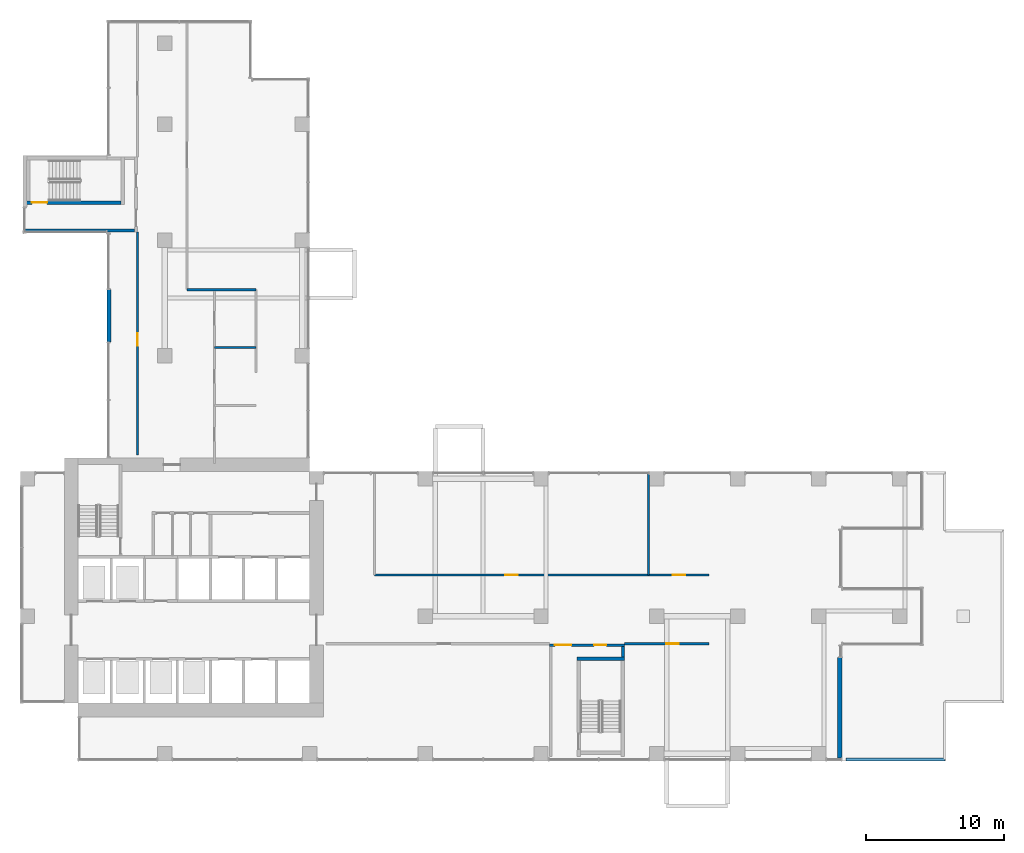
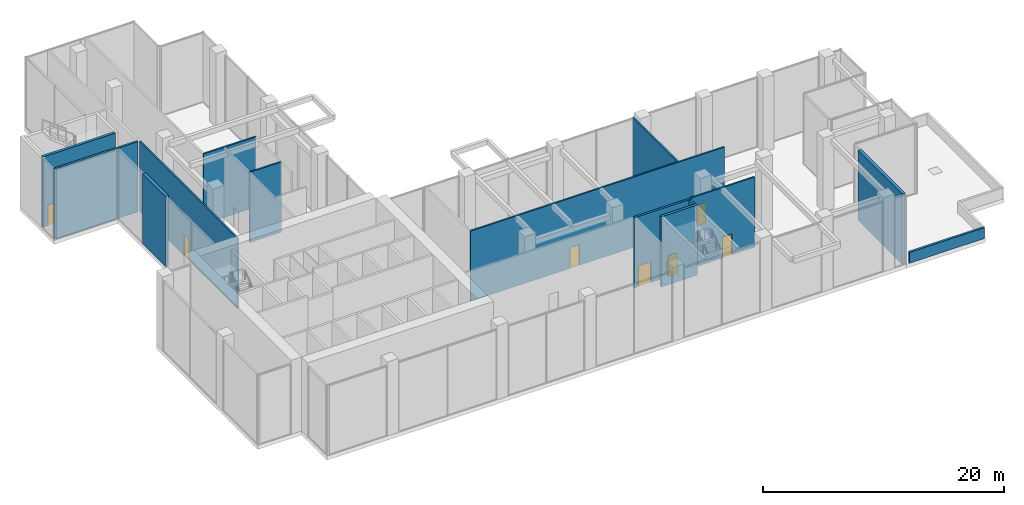
# One storey, part 12 of 18: 14 walls, 7 doors, 7 openings.
"""IFC4 building model written with IfcOpenShell, lengths in metres."""

from ifc_helpers import new_model, si_unit, direction, frame, frame_2d, origin, place, context, subcontext, project, spatial, rectangle, extrude, source, transform, mapped, material, layer, layer_set, type_object, element, fill, save


model = new_model("IFC4")

# Units and contexts
model_context = context("Model", 3, precision=1e-05, world=origin(), true_north=direction((0.0, 1.0)))
body_context = subcontext(model_context, "Body", "Model", "MODEL_VIEW")
ifc_project = project(units=[si_unit("LENGTHUNIT", "METRE"), si_unit("AREAUNIT", "SQUARE_METRE"), si_unit("VOLUMEUNIT", "CUBIC_METRE"), si_unit("PLANEANGLEUNIT", "RADIAN"), si_unit("MASSUNIT", "GRAM", prefix="KILO")], contexts=[model_context])

# Site, building, storey
site_placement = place(None, origin())
site = spatial("IfcSite", under=ifc_project, at=site_placement, CompositionType="ELEMENT")
building_placement = place(site_placement, origin())
building = spatial("IfcBuilding", under=site, at=building_placement, Name="Aurelian Terraces", CompositionType="ELEMENT")
storey_placement = place(building_placement, frame((0.0, 0.0, 170.3)))
storey = spatial("IfcBuildingStorey", under=building, at=storey_placement, Name="L37", CompositionType="ELEMENT", Elevation=170.3)

# Wall, openings, doors
ifc_material_1 = material(Name="Gypsum board on steel studs", Category="steel")
ifc_layer_1 = layer(ifc_material_1, 0.2)
ifc_layer_set_1 = layer_set([ifc_layer_1], Name="Core partition 200")
wall_type_1 = type_object("IfcWallType", Name="Core partition 200", PredefinedType="PARTITIONING", material=ifc_layer_set_1)
wall_1_placement = place(storey_placement, frame((38.4, 8.4, 0.0), z_axis=(0.0, 0.0, 1.0), x_axis=(1.0, 0.0, 0.0)))
wall_1 = element("IfcWall", 1, at=wall_1_placement, inside=storey, type_object=wall_type_1, Name="L37 core wall ST-S2-BN", PredefinedType="PARTITIONING", context=body_context, shape_type="SweptSolid", body=[
    extrude(rectangle(XDim=5.45, YDim=0.2, at=frame_2d((2.725, 0.0))), origin(), (0.0, 0.0, 1.0), 7.1),
])
shared_shape_1 = source(origin(), body_context, "Body", "SweptSolid", [
    extrude(rectangle(XDim=1.2, YDim=2.1, at=frame_2d((0.6, 1.05))), frame((0.0, 0.11, 0.0), z_axis=(0.0, -1.0, 0.0), x_axis=(1.0, 0.0, 0.0)), (0.0, 0.0, 1.0), 0.22),
])
opening_1_placement = place(wall_1_placement, frame((0.4, 0.0, 0.0)))
opening_1 = element("IfcOpeningElement", 2, at=opening_1_placement, cuts=wall_1, Name="Opening 64018", PredefinedType="OPENING", context=body_context, shape_type="MappedRepresentation", body=[
    mapped(shared_shape_1, transform((0.0, 0.0, 0.0), scale=1.0)),
])
shared_shape_2 = source(origin(), body_context, "Body", "SweptSolid", [
    extrude(rectangle(XDim=0.9, YDim=2.1, at=frame_2d((0.45, 1.05))), frame((0.0, 0.11, 0.0), z_axis=(0.0, -1.0, 0.0), x_axis=(1.0, 0.0, 0.0)), (0.0, 0.0, 1.0), 0.22),
])
opening_2_placement = place(wall_1_placement, frame((3.25, 0.0, 0.0)))
opening_2 = element("IfcOpeningElement", 3, at=opening_2_placement, cuts=wall_1, Name="Opening 64019", PredefinedType="OPENING", context=body_context, shape_type="MappedRepresentation", body=[
    mapped(shared_shape_2, transform((0.0, 0.0, 0.0), scale=1.0)),
])
ifc_material_2 = material(Name="Steel door leaf", Category="steel")
door_type_1 = type_object("IfcDoorType", Name="Core riser door 900x2100 right", OperationType="SINGLE_SWING_RIGHT", PredefinedType="DOOR", material=ifc_material_2)
shared_shape_3 = source(origin(), body_context, "Body", "SweptSolid", [
    extrude(rectangle(XDim=0.9, YDim=2.1, at=frame_2d((0.45, 1.05))), frame((0.0, 0.025, 0.0), z_axis=(0.0, -1.0, 0.0), x_axis=(1.0, 0.0, 0.0)), (0.0, 0.0, 1.0), 0.05),
])
door_1_placement = place(opening_2_placement, origin())
door_1 = element("IfcDoor", 4, at=door_1_placement, inside=storey, type_object=door_type_1, Name="Riser door 64019", OperationType="SINGLE_SWING_RIGHT", OverallHeight=2.1, OverallWidth=0.9, PredefinedType="DOOR", context=body_context, shape_type="MappedRepresentation", body=[
    mapped(shared_shape_3, transform((0.0, 0.0, 0.0), scale=1.0)),
])
fill(opening_2, door_1)
door_type_2 = type_object("IfcDoorType", Name="Core fire door 1200x2100", OperationType="SINGLE_SWING_LEFT", PredefinedType="DOOR", material=ifc_material_2)
shared_shape_4 = source(origin(), body_context, "Body", "SweptSolid", [
    extrude(rectangle(XDim=1.2, YDim=2.1, at=frame_2d((0.6, 1.05))), frame((0.0, 0.025, 0.0), z_axis=(0.0, -1.0, 0.0), x_axis=(1.0, 0.0, 0.0)), (0.0, 0.0, 1.0), 0.05),
])
door_2_placement = place(opening_1_placement, origin())
door_2 = element("IfcDoor", 5, at=door_2_placement, inside=storey, type_object=door_type_2, Name="Vestibule door 64018", OperationType="SINGLE_SWING_LEFT", OverallHeight=2.1, OverallWidth=1.2, PredefinedType="DOOR", context=body_context, shape_type="MappedRepresentation", body=[
    mapped(shared_shape_4, transform((0.0, 0.0, 0.0), scale=1.0)),
])
fill(opening_1, door_2)

# Walls
wall_2_placement = place(storey_placement, frame((43.75, 7.55, 0.0), z_axis=(0.0, 0.0, 1.0), x_axis=(0.0, 1.0, 0.0)))
element("IfcWall", 6, at=wall_2_placement, inside=storey, type_object=wall_type_1, Name="L37 core wall ST-S2-RE", PredefinedType="PARTITIONING", context=body_context, shape_type="SweptSolid", body=[
    extrude(rectangle(XDim=0.75, YDim=0.2, at=frame_2d((0.375, 0.0))), origin(), (0.0, 0.0, 1.0), 7.1),
])
ifc_material_3 = material(Name="Terracotta rainscreen cladding", Category="masonry")
ifc_layer_2 = layer(ifc_material_3, 0.2)
ifc_layer_set_2 = layer_set([ifc_layer_2], Name="PARAPET-200")
wall_type_2 = type_object("IfcWallType", Name="PARAPET-200", PredefinedType="PARAPET", material=ifc_layer_set_2)
wall_3_placement = place(storey_placement, frame((67.11, 0.09, 0.0), z_axis=(0.0, 0.0, 1.0), x_axis=(-1.0, 0.0, 0.0)))
element("IfcWall", 7, at=wall_3_placement, inside=storey, type_object=wall_type_2, Name="Parapet L37 L37-X1", PredefinedType="PARAPET", context=body_context, shape_type="SweptSolid", body=[
    extrude(rectangle(XDim=7.17, YDim=0.2, at=frame_2d((3.585, 0.0))), origin(), (0.0, 0.0, 1.0), 1.1),
])
ifc_material_4 = material(Name="Concrete fc' 40 MPa", Category="concrete")
ifc_layer_3 = layer(ifc_material_4, 0.3)
ifc_layer_set_3 = layer_set([ifc_layer_3], Name="STAIR BAY WALL 300")
wall_type_3 = type_object("IfcWallType", Name="STAIR BAY WALL 300", PredefinedType="SOLIDWALL", material=ifc_layer_set_3)
wall_4_placement = place(storey_placement, frame((59.49, 0.22, 0.0), z_axis=(0.0, 0.0, 1.0), x_axis=(0.0, 1.0, 0.0)))
element("IfcWall", 8, at=wall_4_placement, inside=storey, type_object=wall_type_3, Name="Stair bay wall L37 F02.2", PredefinedType="SOLIDWALL", context=body_context, shape_type="SweptSolid", body=[
    extrude(rectangle(XDim=7.28, YDim=0.3, at=frame_2d((3.64, 0.0))), origin(), (0.0, 0.0, 1.0), 7.1),
])
wall_5_placement = place(storey_placement, frame((6.45, 34.2, 0.0), z_axis=(0.0, 0.0, 1.0), x_axis=(0.0, -1.0, 0.0)))
element("IfcWall", 9, at=wall_5_placement, inside=storey, type_object=wall_type_3, Name="Stair bay wall L37 F18.2", PredefinedType="SOLIDWALL", context=body_context, shape_type="SweptSolid", body=[
    extrude(rectangle(XDim=3.8, YDim=0.3, at=frame_2d((1.9, 0.0))), origin(), (0.0, 0.0, 1.0), 7.1),
])

# Wall, opening, door
ifc_layer_4 = layer(ifc_material_1, 0.15)
ifc_layer_set_4 = layer_set([ifc_layer_4], Name="Special partition 150")
wall_type_4 = type_object("IfcWallType", Name="Special partition 150", PredefinedType="PARTITIONING", material=ifc_layer_set_4)
wall_6_placement = place(storey_placement, frame((43.85, 8.5, 0.0), z_axis=(0.0, 0.0, 1.0), x_axis=(1.0, 0.0, 0.0)))
wall_6 = element("IfcWall", 10, at=wall_6_placement, inside=storey, type_object=wall_type_4, Name="L37 partition W02", PredefinedType="PARTITIONING", context=body_context, shape_type="SweptSolid", body=[
    extrude(rectangle(XDim=6.15, YDim=0.15, at=frame_2d((3.075, 0.0))), origin(), (0.0, 0.0, 1.0), 7.1),
])
shared_shape_5 = source(origin(), body_context, "Body", "SweptSolid", [
    extrude(rectangle(XDim=0.9, YDim=2.1, at=frame_2d((0.45, 1.05))), frame((0.0, 0.085, 0.0), z_axis=(0.0, -1.0, 0.0), x_axis=(1.0, 0.0, 0.0)), (0.0, 0.0, 1.0), 0.17),
])
opening_3_placement = place(wall_6_placement, frame((3.05, 0.0, 0.0)))
opening_3 = element("IfcOpeningElement", 11, at=opening_3_placement, cuts=wall_6, Name="Opening 74002", PredefinedType="OPENING", context=body_context, shape_type="MappedRepresentation", body=[
    mapped(shared_shape_5, transform((0.0, 0.0, 0.0), scale=1.0)),
])
ifc_material_5 = material(Name="Timber door leaf", Category="wood")
door_type_3 = type_object("IfcDoorType", Name="Special door 900x2100 right", OperationType="SINGLE_SWING_RIGHT", PredefinedType="DOOR", material=ifc_material_5)
door_3_placement = place(opening_3_placement, origin())
door_3 = element("IfcDoor", 12, at=door_3_placement, inside=storey, type_object=door_type_3, Name="Door 74002", OperationType="SINGLE_SWING_RIGHT", OverallHeight=2.1, OverallWidth=0.9, PredefinedType="DOOR", context=body_context, shape_type="MappedRepresentation", body=[
    mapped(shared_shape_3, transform((0.0, 0.0, 0.0), scale=1.0)),
])
fill(opening_3, door_3)

# Wall, openings, doors
wall_7_placement = place(storey_placement, frame((25.7, 13.5, 0.0), z_axis=(0.0, 0.0, 1.0), x_axis=(1.0, 0.0, 0.0)))
wall_7 = element("IfcWall", 13, at=wall_7_placement, inside=storey, type_object=wall_type_4, Name="L37 partition W03", PredefinedType="PARTITIONING", context=body_context, shape_type="SweptSolid", body=[
    extrude(rectangle(XDim=24.3, YDim=0.15, at=frame_2d((12.15, 0.0))), origin(), (0.0, 0.0, 1.0), 7.1),
])
opening_4_placement = place(wall_7_placement, frame((9.505, 0.0, 0.0)))
opening_4 = element("IfcOpeningElement", 14, at=opening_4_placement, cuts=wall_7, Name="Opening 74003", PredefinedType="OPENING", context=body_context, shape_type="MappedRepresentation", body=[
    mapped(shared_shape_5, transform((0.0, 0.0, 0.0), scale=1.0)),
])
opening_5_placement = place(wall_7_placement, frame((21.655, 0.0, 0.0)))
opening_5 = element("IfcOpeningElement", 15, at=opening_5_placement, cuts=wall_7, Name="Opening 74004", PredefinedType="OPENING", context=body_context, shape_type="MappedRepresentation", body=[
    mapped(shared_shape_5, transform((0.0, 0.0, 0.0), scale=1.0)),
])
door_type_4 = type_object("IfcDoorType", Name="Special door 900x2100", OperationType="SINGLE_SWING_LEFT", PredefinedType="DOOR", material=ifc_material_5)
door_4_placement = place(opening_4_placement, origin())
door_4 = element("IfcDoor", 16, at=door_4_placement, inside=storey, type_object=door_type_4, Name="Door 74003", OperationType="SINGLE_SWING_LEFT", OverallHeight=2.1, OverallWidth=0.9, PredefinedType="DOOR", context=body_context, shape_type="MappedRepresentation", body=[
    mapped(shared_shape_3, transform((0.0, 0.0, 0.0), scale=1.0)),
])
fill(opening_4, door_4)
door_5_placement = place(opening_5_placement, origin())
door_5 = element("IfcDoor", 17, at=door_5_placement, inside=storey, type_object=door_type_3, Name="Door 74004", OperationType="SINGLE_SWING_RIGHT", OverallHeight=2.1, OverallWidth=0.9, PredefinedType="DOOR", context=body_context, shape_type="MappedRepresentation", body=[
    mapped(shared_shape_3, transform((0.0, 0.0, 0.0), scale=1.0)),
])
fill(opening_5, door_5)

# Walls
wall_8_placement = place(storey_placement, frame((12.1, 34.2, 0.0), z_axis=(0.0, 0.0, 1.0), x_axis=(1.0, 0.0, 0.0)))
element("IfcWall", 18, at=wall_8_placement, inside=storey, type_object=wall_type_4, Name="L37 partition W06", PredefinedType="PARTITIONING", context=body_context, shape_type="SweptSolid", body=[
    extrude(rectangle(XDim=5.0, YDim=0.15, at=frame_2d((2.5, 0.0))), origin(), (0.0, 0.0, 1.0), 7.1),
])
ifc_layer_5 = layer(ifc_material_4, 0.25)
ifc_layer_set_5 = layer_set([ifc_layer_5], Name="Stair enclosure wall 250")
wall_type_5 = type_object("IfcWallType", Name="Stair enclosure wall 250", PredefinedType="SOLIDWALL", material=ifc_layer_set_5)
wall_9_placement = place(storey_placement, frame((40.4, 7.425, 0.0), z_axis=(0.0, 0.0, 1.0), x_axis=(1.0, 0.0, 0.0)))
element("IfcWall", 19, at=wall_9_placement, inside=storey, type_object=wall_type_5, Name="L37 core wall ST-S2-N", PredefinedType="SOLIDWALL", context=body_context, shape_type="SweptSolid", body=[
    extrude(rectangle(XDim=3.45, YDim=0.25, at=frame_2d((1.725, 0.0))), origin(), (0.0, 0.0, 1.0), 7.1),
])

# Wall, opening, door
shared_shape_6 = source(origin(), body_context, "Body", "SweptSolid", [
    extrude(rectangle(XDim=7.0, YDim=0.25, at=frame_2d((3.5, 0.0))), origin(), (0.0, 0.0, 1.0), 7.1),
])
wall_10_placement = place(storey_placement, frame((0.3, 40.525, 0.0), z_axis=(0.0, 0.0, 1.0), x_axis=(1.0, 0.0, 0.0)))
wall_10 = element("IfcWall", 20, at=wall_10_placement, inside=storey, type_object=wall_type_5, Name="L37 core wall ST-S3-W", PredefinedType="SOLIDWALL", context=body_context, shape_type="MappedRepresentation", body=[
    mapped(shared_shape_6, transform((0.0, 0.0, 0.0), scale=1.0)),
])
shared_shape_7 = source(origin(), body_context, "Body", "SweptSolid", [
    extrude(rectangle(XDim=1.1, YDim=2.1, at=frame_2d((0.55, 1.05))), frame((0.0, 0.135, 0.0), z_axis=(0.0, -1.0, 0.0), x_axis=(1.0, 0.0, 0.0)), (0.0, 0.0, 1.0), 0.27),
])
opening_6_placement = place(wall_10_placement, frame((0.55, 0.0, 0.0)))
opening_6 = element("IfcOpeningElement", 21, at=opening_6_placement, cuts=wall_10, Name="Opening 64020", PredefinedType="OPENING", context=body_context, shape_type="MappedRepresentation", body=[
    mapped(shared_shape_7, transform((0.0, 0.0, 0.0), scale=1.0)),
])
door_type_5 = type_object("IfcDoorType", Name="Core fire door 1100x2100", OperationType="SINGLE_SWING_LEFT", PredefinedType="DOOR", material=ifc_material_2)
shared_shape_8 = source(origin(), body_context, "Body", "SweptSolid", [
    extrude(rectangle(XDim=1.1, YDim=2.1, at=frame_2d((0.55, 1.05))), frame((0.0, 0.025, 0.0), z_axis=(0.0, -1.0, 0.0), x_axis=(1.0, 0.0, 0.0)), (0.0, 0.0, 1.0), 0.05),
])
door_6_placement = place(opening_6_placement, origin())
door_6 = element("IfcDoor", 22, at=door_6_placement, inside=storey, type_object=door_type_5, Name="Stair door 64020", OperationType="SINGLE_SWING_LEFT", OverallHeight=2.1, OverallWidth=1.1, PredefinedType="DOOR", context=body_context, shape_type="MappedRepresentation", body=[
    mapped(shared_shape_8, transform((0.0, 0.0, 0.0), scale=1.0)),
])
fill(opening_6, door_6)

# Walls
shared_shape_9 = source(origin(), body_context, "Body", "SweptSolid", [
    extrude(rectangle(XDim=8.0, YDim=0.2, at=frame_2d((4.0, 0.0))), origin(), (0.0, 0.0, 1.0), 7.1),
])
wall_11_placement = place(storey_placement, frame((0.3, 38.5, 0.0), z_axis=(0.0, 0.0, 1.0), x_axis=(1.0, 0.0, 0.0)))
element("IfcWall", 23, at=wall_11_placement, inside=storey, type_object=wall_type_1, Name="L37 core wall ST-S3-VW", PredefinedType="PARTITIONING", context=body_context, shape_type="MappedRepresentation", body=[
    mapped(shared_shape_9, transform((0.0, 0.0, 0.0), scale=1.0)),
])
shared_shape_10 = source(origin(), body_context, "Body", "SweptSolid", [
    extrude(rectangle(XDim=3.0, YDim=0.15, at=frame_2d((1.5, 0.0))), origin(), (0.0, 0.0, 1.0), 7.1),
])
wall_12_placement = place(storey_placement, frame((14.1, 30.0, 0.0), z_axis=(0.0, 0.0, 1.0), x_axis=(1.0, 0.0, 0.0)))
element("IfcWall", 24, at=wall_12_placement, inside=storey, type_object=wall_type_4, Name="L37 partition W05", PredefinedType="PARTITIONING", context=body_context, shape_type="MappedRepresentation", body=[
    mapped(shared_shape_10, transform((0.0, 0.0, 0.0), scale=1.0)),
])

# Wall, opening, door
shared_shape_11 = source(origin(), body_context, "Body", "SweptSolid", [
    extrude(rectangle(XDim=16.2, YDim=0.15, at=frame_2d((8.1, 0.0))), origin(), (0.0, 0.0, 1.0), 7.1),
])
wall_13_placement = place(storey_placement, frame((8.5, 22.2, 0.0), z_axis=(0.0, 0.0, 1.0), x_axis=(0.0, 1.0, 0.0)))
wall_13 = element("IfcWall", 25, at=wall_13_placement, inside=storey, type_object=wall_type_4, Name="L37 partition W07", PredefinedType="PARTITIONING", context=body_context, shape_type="MappedRepresentation", body=[
    mapped(shared_shape_11, transform((0.0, 0.0, 0.0), scale=1.0)),
])
opening_7_placement = place(wall_13_placement, frame((7.95, 0.0, 0.0)))
opening_7 = element("IfcOpeningElement", 26, at=opening_7_placement, cuts=wall_13, Name="Opening 74005", PredefinedType="OPENING", context=body_context, shape_type="MappedRepresentation", body=[
    mapped(shared_shape_5, transform((0.0, 0.0, 0.0), scale=1.0)),
])
door_7_placement = place(opening_7_placement, origin())
door_7 = element("IfcDoor", 27, at=door_7_placement, inside=storey, type_object=door_type_4, Name="Door 74005", OperationType="SINGLE_SWING_LEFT", OverallHeight=2.1, OverallWidth=0.9, PredefinedType="DOOR", context=body_context, shape_type="MappedRepresentation", body=[
    mapped(shared_shape_3, transform((0.0, 0.0, 0.0), scale=1.0)),
])
fill(opening_7, door_7)

# Wall
shared_shape_12 = source(origin(), body_context, "Body", "SweptSolid", [
    extrude(rectangle(XDim=7.5, YDim=0.15, at=frame_2d((3.75, 0.0))), origin(), (0.0, 0.0, 1.0), 7.1),
])
wall_14_placement = place(storey_placement, frame((45.61, 13.5, 0.0), z_axis=(0.0, 0.0, 1.0), x_axis=(0.0, 1.0, 0.0)))
element("IfcWall", 28, at=wall_14_placement, inside=storey, type_object=wall_type_4, Name="L37 partition W13", PredefinedType="PARTITIONING", context=body_context, shape_type="MappedRepresentation", body=[
    mapped(shared_shape_12, transform((0.0, 0.0, 0.0), scale=1.0)),
])

save(model, "model.ifc")
